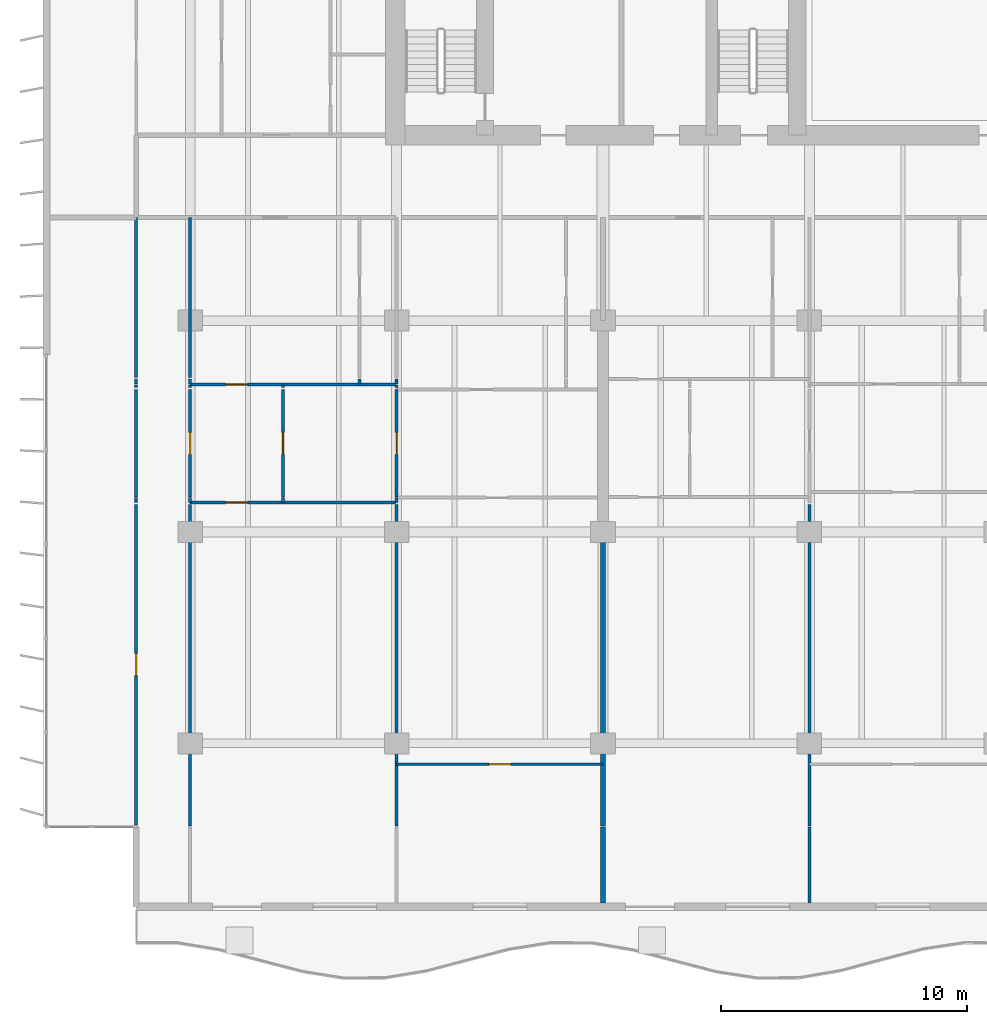
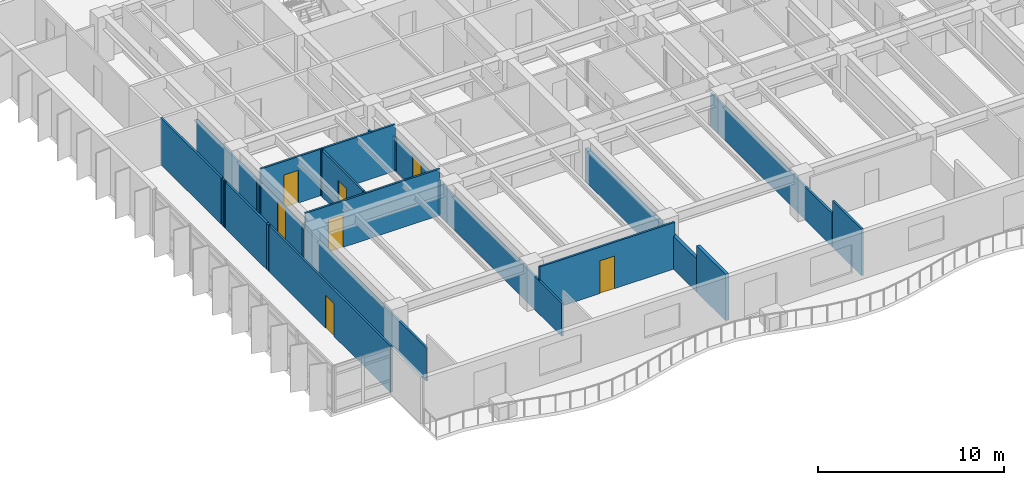
# One storey, part 6 of 19: 28 walls, 7 doors, 7 openings.
"""IFC4 building model written with IfcOpenShell, lengths in metres."""

import ifcopenshell
import ifcopenshell.guid

model = None  # the IFC model being written
_history = None  # IfcOwnerHistory: only IFC2X3 demands one
_inside = {}  # id of a spatial element -> (the spatial element, [elements in it])
_under = {}  # id of a project, library or spatial element -> (it, [spatial elements below it])
_declared = {}  # id of a project -> (the project, [libraries it declares])
_typed = {}  # id of a type object -> (the type object, [elements of that type])
_made_of = {}  # id of a material, layer set ... -> (it, [elements and type objects made of it])


def new_model(schema):
    """Start an empty IFC model of exactly this schema.

    Asked for "IFC4X3", IfcOpenShell would pick the latest addendum, in which some entities
    have other attributes; the version numbers below select the first issue.
    IFC2X3 requires an IfcOwnerHistory on every rooted entity: one is made here for all.
    """
    global model, _history
    if schema == "IFC4X3":
        model = ifcopenshell.file(schema_version=(4, 3, 0, 0))
    else:
        model = ifcopenshell.file(schema=schema)
    _inside.clear()
    _under.clear()
    _declared.clear()
    _typed.clear()
    _made_of.clear()
    _history = None
    if model.schema == "IFC2X3":
        org = make("IfcOrganization", Name="unknown")
        user = make(
            "IfcPersonAndOrganization",
            ThePerson=make("IfcPerson", FamilyName="unknown"),
            TheOrganization=org,
        )
        app = make(
            "IfcApplication",
            ApplicationDeveloper=org,
            Version="unknown",
            ApplicationFullName="unknown",
            ApplicationIdentifier="unknown",
        )
        _history = make(
            "IfcOwnerHistory",
            OwningUser=user,
            OwningApplication=app,
            ChangeAction="ADDED",
            CreationDate=0,
        )
    return model


def make(cls, **values):
    """One entity of the class cls with the attributes given. An attribute that is None is left unset."""
    return model.create_entity(
        cls, **{name: value for name, value in values.items() if value is not None}
    )


def rooted(cls, **values):
    """An entity with a GlobalId (a new one), such as an element, a storey or a relation."""
    return make(cls, GlobalId=ifcopenshell.guid.new(), OwnerHistory=_history, **values)


def si_unit(unit_type, name, prefix=None):
    """IfcSIUnit, for example si_unit("LENGTHUNIT", "METRE", prefix="MILLI")."""
    return make("IfcSIUnit", UnitType=unit_type, Prefix=prefix, Name=name)


def assignment(units):
    """IfcUnitAssignment: the units of a project."""
    return None if units is None else make("IfcUnitAssignment", Units=units)


def point(xyz):
    """IfcCartesianPoint."""
    return None if xyz is None else make("IfcCartesianPoint", Coordinates=xyz)


def direction(xyz):
    """IfcDirection."""
    return None if xyz is None else make("IfcDirection", DirectionRatios=xyz)


def frame(location, z_axis=None, x_axis=None):
    """IfcAxis2Placement3D, a coordinate frame: its origin and axes. An axis left out is left unset."""
    return make(
        "IfcAxis2Placement3D",
        Location=point(location),
        Axis=direction(z_axis),
        RefDirection=direction(x_axis),
    )


def frame_2d(location, x_axis=None):
    """IfcAxis2Placement2D, a coordinate frame in the plane: its origin and x axis."""
    return make(
        "IfcAxis2Placement2D", Location=point(location), RefDirection=direction(x_axis)
    )


def origin():
    """The frame at (0, 0, 0) with its axes left unset."""
    return frame((0.0, 0.0, 0.0))


def place(relative_to, where):
    """IfcLocalPlacement: puts the frame where relative to a parent placement (None: the world)."""
    return make(
        "IfcLocalPlacement", PlacementRelTo=relative_to, RelativePlacement=where
    )


def context(
    kind, dimensions, precision=None, world=None, true_north=None, identifier=None
):
    """IfcGeometricRepresentationContext, for example the 3D "Model" context."""
    return make(
        "IfcGeometricRepresentationContext",
        ContextIdentifier=identifier,
        ContextType=kind,
        CoordinateSpaceDimension=dimensions,
        Precision=precision,
        WorldCoordinateSystem=world,
        TrueNorth=true_north,
    )


def subcontext(parent, identifier, kind, view, scale=None):
    """IfcGeometricRepresentationSubContext, for example "Body" below "Model"."""
    return make(
        "IfcGeometricRepresentationSubContext",
        ContextIdentifier=identifier,
        ContextType=kind,
        ParentContext=parent,
        TargetScale=scale,
        TargetView=view,
    )


def project(units=None, contexts=None):
    """IfcProject with its units and contexts."""
    return rooted(
        "IfcProject",
        Name="project",
        RepresentationContexts=contexts,
        UnitsInContext=assignment(units),
    )


def spatial(cls, under=None, at=None, **own):
    """A site, building, storey or space (cls), placed at a placement, below another one or the project."""
    s = rooted(cls, ObjectPlacement=at, **own)
    if under is not None:
        _under.setdefault(under.id(), (under, []))[1].append(s)
    return s


def profile(cls, at=None, kind="AREA", **sizes):
    """A parametric profile (cls). Its sizes go by their IFC names, for example OverallWidth=200.0."""
    return make(cls, ProfileType=kind, Position=at, **sizes)


def rectangle(**sizes):
    """IfcRectangleProfileDef."""
    return profile("IfcRectangleProfileDef", **sizes)


def extrude(swept, where, along, depth):
    """IfcExtrudedAreaSolid: the profile swept, set in the frame where, extruded along a direction by depth."""
    return make(
        "IfcExtrudedAreaSolid",
        SweptArea=swept,
        Position=where,
        ExtrudedDirection=direction(along),
        Depth=depth,
    )


def shape(context_of_items, identifier, shape_type, items):
    """IfcShapeRepresentation: the items that make up one representation, for example the "Body"."""
    return make(
        "IfcShapeRepresentation",
        ContextOfItems=context_of_items,
        RepresentationIdentifier=identifier,
        RepresentationType=shape_type,
        Items=items,
    )


def material(Name=None, Category=None):
    """IfcMaterial."""
    return make("IfcMaterial", Name=Name, Category=Category)


def layer(
    of_material, thickness, ventilated=None, Name=None, Category=None, Priority=None
):
    """IfcMaterialLayer: one layer of a wall or slab, of a material (None: an air gap)."""
    return make(
        "IfcMaterialLayer",
        Material=of_material,
        LayerThickness=thickness,
        IsVentilated=ventilated,
        Name=Name,
        Category=Category,
        Priority=Priority,
    )


def layer_set(layers, Name=None):
    """IfcMaterialLayerSet."""
    return make("IfcMaterialLayerSet", MaterialLayers=layers, LayerSetName=Name)


def made_of(thing, what):
    """Note that an element or type object is made of a material, layer set ...; save() writes the relation."""
    if what is not None:
        _made_of.setdefault(what.id(), (what, []))[1].append(thing)
    return thing


def type_object(cls, material=None, **own):
    """A type object (cls), such as IfcWallType, which elements share."""
    return made_of(rooted(cls, **own), material)


def element(
    cls,
    number,
    at=None,
    inside=None,
    cuts=None,
    type_object=None,
    material=None,
    context=None,
    identifier="Body",
    shape_type=None,
    held_by="IfcProductDefinitionShape",
    body=None,
    shapes=None,
    **own,
):
    """One element of the class cls, such as IfcWall. Its Tag is "e" and its number.

    at: its placement. inside: the storey or other place that contains it. cuts: it is an
    opening in that element (IfcRelVoidsElement). A single representation is given by context,
    identifier, shape_type and body (its items); several are given by shapes. held_by: the class
    of the entity that holds the representations. save() writes the other relations.
    """
    e = rooted(cls, Tag="e%d" % number, ObjectPlacement=at, **own)
    if body is not None:
        shapes = [shape(context, identifier, shape_type, body)]
    if shapes is not None:
        e.Representation = make(held_by, Representations=shapes)
    if inside is not None:
        _inside.setdefault(inside.id(), (inside, []))[1].append(e)
    if cuts is not None:
        rooted(
            "IfcRelVoidsElement", RelatingBuildingElement=cuts, RelatedOpeningElement=e
        )
    if type_object is not None:
        _typed.setdefault(type_object.id(), (type_object, []))[1].append(e)
    return made_of(e, material)


def fill(opening, filler):
    """IfcRelFillsElement: the door or window that sits in an opening."""
    return rooted(
        "IfcRelFillsElement",
        RelatingOpeningElement=opening,
        RelatedBuildingElement=filler,
    )


def aggregate(whole, parts):
    """IfcRelAggregates: a whole, such as a stair, and the parts it consists of."""
    return rooted("IfcRelAggregates", RelatingObject=whole, RelatedObjects=parts)


def save(model, path):
    """Write the relations noted so far, then the file.

    IfcRelAggregates (storeys below a building ...), IfcRelContainedInSpatialStructure (elements
    in a storey), IfcRelDefinesByType, IfcRelAssociatesMaterial and IfcRelDeclares: one each for
    every whole, place, type object, material and project.
    """
    for whole, parts in _under.values():
        aggregate(whole, parts)
    for where, things in _inside.values():
        rooted(
            "IfcRelContainedInSpatialStructure",
            RelatedElements=things,
            RelatingStructure=where,
        )
    for kind, things in _typed.values():
        rooted("IfcRelDefinesByType", RelatedObjects=things, RelatingType=kind)
    for what, things in _made_of.values():
        rooted("IfcRelAssociatesMaterial", RelatedObjects=things, RelatingMaterial=what)
    for by, libraries in _declared.values():
        rooted("IfcRelDeclares", RelatingContext=by, RelatedDefinitions=libraries)
    model.write(path)


model = new_model("IFC4")

# Units and contexts
model_context = context("Model", 3, precision=1e-05, world=origin(), true_north=direction((0.0, 1.0)))
body_context = subcontext(model_context, "Body", "Model", "MODEL_VIEW")
ifc_project = project(units=[si_unit("LENGTHUNIT", "METRE"), si_unit("AREAUNIT", "SQUARE_METRE"), si_unit("VOLUMEUNIT", "CUBIC_METRE"), si_unit("PLANEANGLEUNIT", "RADIAN"), si_unit("MASSUNIT", "GRAM", prefix="KILO")], contexts=[model_context])

# Site, building, storey
site_placement = place(None, origin())
site = spatial("IfcSite", under=ifc_project, at=site_placement, CompositionType="ELEMENT")
building_placement = place(site_placement, origin())
building = spatial("IfcBuilding", under=site, at=building_placement, Name="Caelmar Bay Residences", CompositionType="ELEMENT")
storey_placement = place(building_placement, frame((0.0, 0.0, 112.5)))
storey = spatial("IfcBuildingStorey", under=building, at=storey_placement, Name="L30", CompositionType="ELEMENT", Elevation=112.5)

# Wall, opening, door
ifc_material_1 = material(Name="Acoustic metal-stud gypsum partition 120 mm")
ifc_layer_1 = layer(ifc_material_1, 0.1201171875)
ifc_layer_set_1 = layer_set([ifc_layer_1], Name="Acoustic metal-stud gypsum partition 120 mm")
wall_type_1 = type_object("IfcWallType", Name="W-PRT-120", PredefinedType="PARTITIONING", material=ifc_layer_set_1)
wall_1_placement = place(storey_placement, frame((7.699951171875, 8.885009765625, 0.0), z_axis=(0.0, 0.0, 1.0), x_axis=(0.0, 1.0, 0.0)))
wall_1 = element("IfcWall", 1, at=wall_1_placement, inside=storey, type_object=wall_type_1, Name="L30 Partition Wall V001", PredefinedType="PARTITIONING", context=body_context, shape_type="SweptSolid", body=[
    extrude(rectangle(XDim=13.044921875, YDim=0.1201171875, at=frame_2d((6.5224609375, 0.0))), origin(), (0.0, 0.0, 1.0), 3.050048828125),
])
opening_1_placement = place(wall_1_placement, frame((6.072509765625, 0.0, 0.0)))
opening_1 = element("IfcOpeningElement", 2, at=opening_1_placement, cuts=wall_1, Name="Opening D-L30-162", PredefinedType="OPENING", context=body_context, shape_type="SweptSolid", body=[
    extrude(rectangle(XDim=0.89990234375, YDim=2.14990234375, at=frame_2d((0.449951171875, 1.074951171875))), frame((0.0, 0.070068359375, 0.0), z_axis=(0.0, -1.0, 0.0), x_axis=(1.0, 0.0, 0.0)), (0.0, 0.0, 1.0), 0.14013671875),
])
ifc_material_2 = material(Name="Solid walnut timber interior door leaf and frame", Category="wood")
ifc_layer_2 = layer(ifc_material_2, 0.050048828125)
ifc_layer_set_2 = layer_set([ifc_layer_2], Name="Solid walnut timber interior door leaf and frame")
door_type = type_object("IfcDoorType", Name="D-ROOM-900", OperationType="NOTDEFINED", PredefinedType="DOOR", material=ifc_layer_set_2)
door_1_placement = place(opening_1_placement, origin())
door_1 = element("IfcDoor", 3, at=door_1_placement, inside=storey, type_object=door_type, Name="L30 Residence 01 Penthouse West Salon Door", OperationType="SINGLE_SWING_RIGHT", OverallHeight=2.14990234375, OverallWidth=0.89990234375, PredefinedType="DOOR", context=body_context, shape_type="SweptSolid", body=[
    extrude(rectangle(XDim=0.89990234375, YDim=2.14990234375, at=frame_2d((0.449951171875, 1.074951171875))), frame((0.0, 0.02490234375, 0.0), z_axis=(0.0, -1.0, 0.0), x_axis=(1.0, 0.0, 0.0)), (0.0, 0.0, 1.0), 0.050048828125),
])
fill(opening_1, door_1)

# Walls
wall_2_placement = place(storey_placement, frame((7.699951171875, 22.0, 0.0), z_axis=(0.0, 0.0, 1.0), x_axis=(0.0, 1.0, 0.0)))
element("IfcWall", 4, at=wall_2_placement, inside=storey, type_object=wall_type_1, Name="L30 Partition Wall V002", PredefinedType="PARTITIONING", context=body_context, shape_type="SweptSolid", body=[
    extrude(rectangle(XDim=0.199951171875, YDim=0.1201171875, at=frame_2d((0.10009765625, 0.0))), origin(), (0.0, 0.0, 1.0), 3.050048828125),
])
wall_3_placement = place(storey_placement, frame((7.699951171875, 22.219970703125, 0.0), z_axis=(0.0, 0.0, 1.0), x_axis=(0.0, 1.0, 0.0)))
element("IfcWall", 5, at=wall_3_placement, inside=storey, type_object=wall_type_1, Name="L30 Partition Wall V003", PredefinedType="PARTITIONING", context=body_context, shape_type="SweptSolid", body=[
    extrude(rectangle(XDim=4.380126953125, YDim=0.1201171875, at=frame_2d((2.18994140625, 0.0))), origin(), (0.0, 0.0, 1.0), 3.050048828125),
])
wall_4_placement = place(storey_placement, frame((7.699951171875, 26.679931640625, 0.0), z_axis=(0.0, 0.0, 1.0), x_axis=(0.0, 1.0, 0.0)))
element("IfcWall", 6, at=wall_4_placement, inside=storey, type_object=wall_type_1, Name="L30 Partition Wall V004", PredefinedType="PARTITIONING", context=body_context, shape_type="SweptSolid", body=[
    extrude(rectangle(XDim=0.10009765625, YDim=0.1201171875, at=frame_2d((0.050048828125, 0.0))), origin(), (0.0, 0.0, 1.0), 3.050048828125),
])
wall_5_placement = place(storey_placement, frame((7.699951171875, 26.820068359375, 0.0), z_axis=(0.0, 0.0, 1.0), x_axis=(0.0, 1.0, 0.0)))
element("IfcWall", 7, at=wall_5_placement, inside=storey, type_object=wall_type_1, Name="L30 Partition Wall V005", PredefinedType="PARTITIONING", context=body_context, shape_type="SweptSolid", body=[
    extrude(rectangle(XDim=0.199951171875, YDim=0.1201171875, at=frame_2d((0.10009765625, 0.0))), origin(), (0.0, 0.0, 1.0), 3.050048828125),
])
wall_6_placement = place(storey_placement, frame((7.699951171875, 27.080078125, 0.0), z_axis=(0.0, 0.0, 1.0), x_axis=(0.0, 1.0, 0.0)))
element("IfcWall", 8, at=wall_6_placement, inside=storey, type_object=wall_type_1, Name="L30 Partition Wall V006", PredefinedType="PARTITIONING", context=body_context, shape_type="SweptSolid", body=[
    extrude(rectangle(XDim=6.52001953125, YDim=0.1201171875, at=frame_2d((3.260009765625, 0.0))), origin(), (0.0, 0.0, 1.0), 3.050048828125),
])
wall_7_placement = place(storey_placement, frame((9.89990234375, 8.840087890625, 0.0), z_axis=(0.0, 0.0, 1.0), x_axis=(0.0, 1.0, 0.0)))
element("IfcWall", 9, at=wall_7_placement, inside=storey, type_object=wall_type_1, Name="L30 Partition Wall V011", PredefinedType="PARTITIONING", context=body_context, shape_type="SweptSolid", body=[
    extrude(rectangle(XDim=13.08984375, YDim=0.1201171875, at=frame_2d((6.544921875, 0.0))), origin(), (0.0, 0.0, 1.0), 2.174072265625),
])
wall_8_placement = place(storey_placement, frame((9.89990234375, 22.0, 0.0), z_axis=(0.0, 0.0, 1.0), x_axis=(0.0, 1.0, 0.0)))
element("IfcWall", 10, at=wall_8_placement, inside=storey, type_object=wall_type_1, Name="L30 Partition Wall V012", PredefinedType="PARTITIONING", context=body_context, shape_type="SweptSolid", body=[
    extrude(rectangle(XDim=0.199951171875, YDim=0.1201171875, at=frame_2d((0.10009765625, 0.0))), origin(), (0.0, 0.0, 1.0), 2.174072265625),
])

# Wall, opening, door
wall_9_placement = place(storey_placement, frame((9.89990234375, 22.219970703125, 0.0), z_axis=(0.0, 0.0, 1.0), x_axis=(0.0, 1.0, 0.0)))
wall_9 = element("IfcWall", 11, at=wall_9_placement, inside=storey, type_object=wall_type_1, Name="L30 Partition Wall V013", PredefinedType="PARTITIONING", context=body_context, shape_type="SweptSolid", body=[
    extrude(rectangle(XDim=4.380126953125, YDim=0.1201171875, at=frame_2d((2.18994140625, 0.0))), origin(), (0.0, 0.0, 1.0), 2.174072265625),
])
opening_2_placement = place(wall_9_placement, frame((1.739990234375, 0.0, 0.0)))
opening_2 = element("IfcOpeningElement", 12, at=opening_2_placement, cuts=wall_9, Name="Opening D-L30-129", PredefinedType="OPENING", context=body_context, shape_type="SweptSolid", body=[
    extrude(rectangle(XDim=0.89990234375, YDim=2.1240234375, at=frame_2d((0.449951171875, 1.06201171875))), frame((0.0, 0.070068359375, 0.0), z_axis=(0.0, -1.0, 0.0), x_axis=(1.0, 0.0, 0.0)), (0.0, 0.0, 1.0), 0.14013671875),
])
door_2_placement = place(opening_2_placement, origin())
door_2 = element("IfcDoor", 13, at=door_2_placement, inside=storey, type_object=door_type, Name="L30 Residence 01 West Apartment Hall Door", OperationType="SINGLE_SWING_LEFT", OverallHeight=2.1240234375, OverallWidth=0.89990234375, PredefinedType="DOOR", context=body_context, shape_type="SweptSolid", body=[
    extrude(rectangle(XDim=0.89990234375, YDim=2.1240234375, at=frame_2d((0.449951171875, 1.06201171875))), frame((0.0, 0.02490234375, 0.0), z_axis=(0.0, -1.0, 0.0), x_axis=(1.0, 0.0, 0.0)), (0.0, 0.0, 1.0), 0.050048828125),
])
fill(opening_2, door_2)

# Walls
wall_10_placement = place(storey_placement, frame((9.89990234375, 26.679931640625, 0.0), z_axis=(0.0, 0.0, 1.0), x_axis=(0.0, 1.0, 0.0)))
element("IfcWall", 14, at=wall_10_placement, inside=storey, type_object=wall_type_1, Name="L30 Partition Wall V014", PredefinedType="PARTITIONING", context=body_context, shape_type="SweptSolid", body=[
    extrude(rectangle(XDim=0.10009765625, YDim=0.1201171875, at=frame_2d((0.050048828125, 0.0))), origin(), (0.0, 0.0, 1.0), 2.174072265625),
])
wall_11_placement = place(storey_placement, frame((9.89990234375, 26.820068359375, 0.0), z_axis=(0.0, 0.0, 1.0), x_axis=(0.0, 1.0, 0.0)))
element("IfcWall", 15, at=wall_11_placement, inside=storey, type_object=wall_type_1, Name="L30 Partition Wall V015", PredefinedType="PARTITIONING", context=body_context, shape_type="SweptSolid", body=[
    extrude(rectangle(XDim=0.199951171875, YDim=0.1201171875, at=frame_2d((0.10009765625, 0.0))), origin(), (0.0, 0.0, 1.0), 2.174072265625),
])
wall_12_placement = place(storey_placement, frame((9.89990234375, 27.080078125, 0.0), z_axis=(0.0, 0.0, 1.0), x_axis=(0.0, 1.0, 0.0)))
element("IfcWall", 16, at=wall_12_placement, inside=storey, type_object=wall_type_1, Name="L30 Partition Wall V016", PredefinedType="PARTITIONING", context=body_context, shape_type="SweptSolid", body=[
    extrude(rectangle(XDim=6.52001953125, YDim=0.1201171875, at=frame_2d((3.260009765625, 0.0))), origin(), (0.0, 0.0, 1.0), 2.174072265625),
])
wall_13_placement = place(storey_placement, frame((13.679931640625, 22.0, 0.0), z_axis=(0.0, 0.0, 1.0), x_axis=(0.0, 1.0, 0.0)))
element("IfcWall", 17, at=wall_13_placement, inside=storey, type_object=wall_type_1, Name="L30 Partition Wall V018", PredefinedType="PARTITIONING", context=body_context, shape_type="SweptSolid", body=[
    extrude(rectangle(XDim=0.199951171875, YDim=0.1201171875, at=frame_2d((0.10009765625, 0.0))), origin(), (0.0, 0.0, 1.0), 3.050048828125),
])

# Wall, opening, door
wall_14_placement = place(storey_placement, frame((13.679931640625, 22.219970703125, 0.0), z_axis=(0.0, 0.0, 1.0), x_axis=(0.0, 1.0, 0.0)))
wall_14 = element("IfcWall", 18, at=wall_14_placement, inside=storey, type_object=wall_type_1, Name="L30 Partition Wall V019", PredefinedType="PARTITIONING", context=body_context, shape_type="SweptSolid", body=[
    extrude(rectangle(XDim=4.380126953125, YDim=0.1201171875, at=frame_2d((2.18994140625, 0.0))), origin(), (0.0, 0.0, 1.0), 3.050048828125),
])
opening_3_placement = place(wall_14_placement, frame((1.739990234375, 0.0, 0.0)))
opening_3 = element("IfcOpeningElement", 19, at=opening_3_placement, cuts=wall_14, Name="Opening D-L30-122", PredefinedType="OPENING", context=body_context, shape_type="SweptSolid", body=[
    extrude(rectangle(XDim=0.89990234375, YDim=2.14990234375, at=frame_2d((0.449951171875, 1.074951171875))), frame((0.0, 0.070068359375, 0.0), z_axis=(0.0, -1.0, 0.0), x_axis=(1.0, 0.0, 0.0)), (0.0, 0.0, 1.0), 0.14013671875),
])
door_3_placement = place(opening_3_placement, origin())
door_3 = element("IfcDoor", 20, at=door_3_placement, inside=storey, type_object=door_type, Name="L30 Residence 01 Kitchen Door", OperationType="SINGLE_SWING_RIGHT", OverallHeight=2.14990234375, OverallWidth=0.89990234375, PredefinedType="DOOR", context=body_context, shape_type="SweptSolid", body=[
    extrude(rectangle(XDim=0.89990234375, YDim=2.14990234375, at=frame_2d((0.449951171875, 1.074951171875))), frame((0.0, 0.02490234375, 0.0), z_axis=(0.0, -1.0, 0.0), x_axis=(1.0, 0.0, 0.0)), (0.0, 0.0, 1.0), 0.050048828125),
])
fill(opening_3, door_3)

# Walls
wall_15_placement = place(storey_placement, frame((13.679931640625, 26.679931640625, 0.0), z_axis=(0.0, 0.0, 1.0), x_axis=(0.0, 1.0, 0.0)))
element("IfcWall", 21, at=wall_15_placement, inside=storey, type_object=wall_type_1, Name="L30 Partition Wall V020", PredefinedType="PARTITIONING", context=body_context, shape_type="SweptSolid", body=[
    extrude(rectangle(XDim=0.10009765625, YDim=0.1201171875, at=frame_2d((0.050048828125, 0.0))), origin(), (0.0, 0.0, 1.0), 3.050048828125),
])
wall_16_placement = place(storey_placement, frame((16.784912109375, 26.820068359375, 0.0), z_axis=(0.0, 0.0, 1.0), x_axis=(0.0, 1.0, 0.0)))
element("IfcWall", 22, at=wall_16_placement, inside=storey, type_object=wall_type_1, Name="L30 Partition Wall V022", PredefinedType="PARTITIONING", context=body_context, shape_type="SweptSolid", body=[
    extrude(rectangle(XDim=0.199951171875, YDim=0.1201171875, at=frame_2d((0.10009765625, 0.0))), origin(), (0.0, 0.0, 1.0), 3.050048828125),
])
wall_17_placement = place(storey_placement, frame((18.300048828125, 8.840087890625, 0.0), z_axis=(0.0, 0.0, 1.0), x_axis=(0.0, 1.0, 0.0)))
element("IfcWall", 23, at=wall_17_placement, inside=storey, type_object=wall_type_1, Name="L30 Partition Wall V025", PredefinedType="PARTITIONING", context=body_context, shape_type="SweptSolid", body=[
    extrude(rectangle(XDim=13.08984375, YDim=0.1201171875, at=frame_2d((6.544921875, 0.0))), origin(), (0.0, 0.0, 1.0), 2.174072265625),
])
wall_18_placement = place(storey_placement, frame((18.300048828125, 22.0, 0.0), z_axis=(0.0, 0.0, 1.0), x_axis=(0.0, 1.0, 0.0)))
element("IfcWall", 24, at=wall_18_placement, inside=storey, type_object=wall_type_1, Name="L30 Partition Wall V026", PredefinedType="PARTITIONING", context=body_context, shape_type="SweptSolid", body=[
    extrude(rectangle(XDim=0.199951171875, YDim=0.1201171875, at=frame_2d((0.10009765625, 0.0))), origin(), (0.0, 0.0, 1.0), 2.174072265625),
])

# Wall, opening, door
wall_19_placement = place(storey_placement, frame((18.300048828125, 22.219970703125, 0.0), z_axis=(0.0, 0.0, 1.0), x_axis=(0.0, 1.0, 0.0)))
wall_19 = element("IfcWall", 25, at=wall_19_placement, inside=storey, type_object=wall_type_1, Name="L30 Partition Wall V027", PredefinedType="PARTITIONING", context=body_context, shape_type="SweptSolid", body=[
    extrude(rectangle(XDim=4.380126953125, YDim=0.1201171875, at=frame_2d((2.18994140625, 0.0))), origin(), (0.0, 0.0, 1.0), 2.174072265625),
])
opening_4_placement = place(wall_19_placement, frame((1.739990234375, 0.0, 0.0)))
opening_4 = element("IfcOpeningElement", 26, at=opening_4_placement, cuts=wall_19, Name="Opening D-L30-124", PredefinedType="OPENING", context=body_context, shape_type="SweptSolid", body=[
    extrude(rectangle(XDim=0.89990234375, YDim=2.1240234375, at=frame_2d((0.449951171875, 1.06201171875))), frame((0.0, 0.070068359375, 0.0), z_axis=(0.0, -1.0, 0.0), x_axis=(1.0, 0.0, 0.0)), (0.0, 0.0, 1.0), 0.14013671875),
])
door_4_placement = place(opening_4_placement, origin())
door_4 = element("IfcDoor", 27, at=door_4_placement, inside=storey, type_object=door_type, Name="L30 Residence 01 Conference Study 1 Door", OperationType="SINGLE_SWING_RIGHT", OverallHeight=2.1240234375, OverallWidth=0.89990234375, PredefinedType="DOOR", context=body_context, shape_type="SweptSolid", body=[
    extrude(rectangle(XDim=0.89990234375, YDim=2.1240234375, at=frame_2d((0.449951171875, 1.06201171875))), frame((0.0, 0.02490234375, 0.0), z_axis=(0.0, -1.0, 0.0), x_axis=(1.0, 0.0, 0.0)), (0.0, 0.0, 1.0), 0.050048828125),
])
fill(opening_4, door_4)

# Walls
wall_20_placement = place(storey_placement, frame((18.300048828125, 26.679931640625, 0.0), z_axis=(0.0, 0.0, 1.0), x_axis=(0.0, 1.0, 0.0)))
element("IfcWall", 28, at=wall_20_placement, inside=storey, type_object=wall_type_1, Name="L30 Partition Wall V028", PredefinedType="PARTITIONING", context=body_context, shape_type="SweptSolid", body=[
    extrude(rectangle(XDim=0.10009765625, YDim=0.1201171875, at=frame_2d((0.050048828125, 0.0))), origin(), (0.0, 0.0, 1.0), 2.174072265625),
])
wall_21_placement = place(storey_placement, frame((18.300048828125, 26.820068359375, 0.0), z_axis=(0.0, 0.0, 1.0), x_axis=(0.0, 1.0, 0.0)))
element("IfcWall", 29, at=wall_21_placement, inside=storey, type_object=wall_type_1, Name="L30 Partition Wall V029", PredefinedType="PARTITIONING", context=body_context, shape_type="SweptSolid", body=[
    extrude(rectangle(XDim=0.199951171875, YDim=0.1201171875, at=frame_2d((0.10009765625, 0.0))), origin(), (0.0, 0.0, 1.0), 2.174072265625),
])
wall_22_placement = place(storey_placement, frame((35.10009765625, 5.695068359375, 0.0), z_axis=(0.0, 0.0, 1.0), x_axis=(0.0, 1.0, 0.0)))
element("IfcWall", 30, at=wall_22_placement, inside=storey, type_object=wall_type_1, Name="L30 Partition Wall V045", PredefinedType="PARTITIONING", context=body_context, shape_type="SweptSolid", body=[
    extrude(rectangle(XDim=3.10498046875, YDim=0.1201171875, at=frame_2d((1.552490234375, 0.0))), origin(), (0.0, 0.0, 1.0), 3.050048828125),
])
wall_23_placement = place(storey_placement, frame((35.10009765625, 8.840087890625, 0.0), z_axis=(0.0, 0.0, 1.0), x_axis=(0.0, 1.0, 0.0)))
element("IfcWall", 31, at=wall_23_placement, inside=storey, type_object=wall_type_1, Name="L30 Partition Wall V046", PredefinedType="PARTITIONING", context=body_context, shape_type="SweptSolid", body=[
    extrude(rectangle(XDim=13.08984375, YDim=0.1201171875, at=frame_2d((6.544921875, 0.0))), origin(), (0.0, 0.0, 1.0), 2.174072265625),
])

# Wall, opening, door
wall_24_placement = place(storey_placement, frame((18.300048828125, 11.35009765625, 0.0), z_axis=(0.0, 0.0, 1.0), x_axis=(1.0, 0.0, 0.0)))
wall_24 = element("IfcWall", 32, at=wall_24_placement, inside=storey, type_object=wall_type_1, Name="L30 Partition Wall H120", PredefinedType="PARTITIONING", context=body_context, shape_type="SweptSolid", body=[
    extrude(rectangle(XDim=8.39990234375, YDim=0.1201171875, at=frame_2d((4.199951171875, 0.0))), origin(), (0.0, 0.0, 1.0), 3.050048828125),
])
opening_5_placement = place(wall_24_placement, frame((3.75, 0.0, 0.0)))
opening_5 = element("IfcOpeningElement", 33, at=opening_5_placement, cuts=wall_24, Name="Opening D-L30-128", PredefinedType="OPENING", context=body_context, shape_type="SweptSolid", body=[
    extrude(rectangle(XDim=0.89990234375, YDim=2.14990234375, at=frame_2d((0.449951171875, 1.074951171875))), frame((0.0, 0.070068359375, 0.0), z_axis=(0.0, -1.0, 0.0), x_axis=(1.0, 0.0, 0.0)), (0.0, 0.0, 1.0), 0.14013671875),
])
door_5_placement = place(opening_5_placement, origin())
door_5 = element("IfcDoor", 34, at=door_5_placement, inside=storey, type_object=door_type, Name="L30 Residence 01 Primary Bedroom 1 Door", OperationType="SINGLE_SWING_RIGHT", OverallHeight=2.14990234375, OverallWidth=0.89990234375, PredefinedType="DOOR", context=body_context, shape_type="SweptSolid", body=[
    extrude(rectangle(XDim=0.89990234375, YDim=2.14990234375, at=frame_2d((0.449951171875, 1.074951171875))), frame((0.0, 0.02490234375, 0.0), z_axis=(0.0, -1.0, 0.0), x_axis=(1.0, 0.0, 0.0)), (0.0, 0.0, 1.0), 0.050048828125),
])
fill(opening_5, door_5)

wall_25_placement = place(storey_placement, frame((9.89990234375, 22.0, 0.0), z_axis=(0.0, 0.0, 1.0), x_axis=(1.0, 0.0, 0.0)))
wall_25 = element("IfcWall", 35, at=wall_25_placement, inside=storey, type_object=wall_type_1, Name="L30 Partition Wall H128", PredefinedType="PARTITIONING", context=body_context, shape_type="SweptSolid", body=[
    extrude(rectangle(XDim=8.35009765625, YDim=0.1201171875, at=frame_2d((4.175048828125, 0.0))), origin(), (0.0, 0.0, 1.0), 3.050048828125),
])
opening_6_placement = place(wall_25_placement, frame((1.43994140625, 0.0, 0.0)))
opening_6 = element("IfcOpeningElement", 36, at=opening_6_placement, cuts=wall_25, Name="Opening D-L30-123", PredefinedType="OPENING", context=body_context, shape_type="SweptSolid", body=[
    extrude(rectangle(XDim=0.89990234375, YDim=2.14990234375, at=frame_2d((0.449951171875, 1.074951171875))), frame((0.0, 0.070068359375, 0.0), z_axis=(0.0, -1.0, 0.0), x_axis=(1.0, 0.0, 0.0)), (0.0, 0.0, 1.0), 0.14013671875),
])
door_6_placement = place(opening_6_placement, origin())
door_6 = element("IfcDoor", 37, at=door_6_placement, inside=storey, type_object=door_type, Name="L30 Residence 01 Penthouse Living Salon Door", OperationType="SINGLE_SWING_LEFT", OverallHeight=2.14990234375, OverallWidth=0.89990234375, PredefinedType="DOOR", context=body_context, shape_type="SweptSolid", body=[
    extrude(rectangle(XDim=0.89990234375, YDim=2.14990234375, at=frame_2d((0.449951171875, 1.074951171875))), frame((0.0, 0.02490234375, 0.0), z_axis=(0.0, -1.0, 0.0), x_axis=(1.0, 0.0, 0.0)), (0.0, 0.0, 1.0), 0.050048828125),
])
fill(opening_6, door_6)

wall_26_placement = place(storey_placement, frame((9.89990234375, 26.800048828125, 0.0), z_axis=(0.0, 0.0, 1.0), x_axis=(1.0, 0.0, 0.0)))
wall_26 = element("IfcWall", 38, at=wall_26_placement, inside=storey, type_object=wall_type_1, Name="L30 Partition Wall H135", PredefinedType="PARTITIONING", context=body_context, shape_type="SweptSolid", body=[
    extrude(rectangle(XDim=8.35009765625, YDim=0.1201171875, at=frame_2d((4.175048828125, 0.0))), origin(), (0.0, 0.0, 1.0), 3.050048828125),
])
opening_7_placement = place(wall_26_placement, frame((1.43994140625, 0.0, 0.0)))
opening_7 = element("IfcOpeningElement", 39, at=opening_7_placement, cuts=wall_26, Name="Opening D-L30-121", PredefinedType="OPENING", context=body_context, shape_type="SweptSolid", body=[
    extrude(rectangle(XDim=0.89990234375, YDim=2.14990234375, at=frame_2d((0.449951171875, 1.074951171875))), frame((0.0, 0.070068359375, 0.0), z_axis=(0.0, -1.0, 0.0), x_axis=(1.0, 0.0, 0.0)), (0.0, 0.0, 1.0), 0.14013671875),
])
door_7_placement = place(opening_7_placement, origin())
door_7 = element("IfcDoor", 40, at=door_7_placement, inside=storey, type_object=door_type, Name="L30 Residence 01 Dining Room Door", OperationType="SINGLE_SWING_LEFT", OverallHeight=2.14990234375, OverallWidth=0.89990234375, PredefinedType="DOOR", context=body_context, shape_type="SweptSolid", body=[
    extrude(rectangle(XDim=0.89990234375, YDim=2.14990234375, at=frame_2d((0.449951171875, 1.074951171875))), frame((0.0, 0.02490234375, 0.0), z_axis=(0.0, -1.0, 0.0), x_axis=(1.0, 0.0, 0.0)), (0.0, 0.0, 1.0), 0.050048828125),
])
fill(opening_7, door_7)

# Walls
ifc_material_3 = material(Name="Acoustic twin-stud fire-rated inter-tenancy partition 200 mm")
ifc_layer_3 = layer(ifc_material_3, 0.199951171875)
ifc_layer_set_3 = layer_set([ifc_layer_3], Name="Acoustic twin-stud fire-rated inter-tenancy partition 200 mm")
wall_type_2 = type_object("IfcWallType", Name="W-PTY-200", PredefinedType="PARTITIONING", material=ifc_layer_set_3)
wall_27_placement = place(storey_placement, frame((26.699951171875, 5.695068359375, 0.0), z_axis=(0.0, 0.0, 1.0), x_axis=(0.0, 1.0, 0.0)))
element("IfcWall", 41, at=wall_27_placement, inside=storey, type_object=wall_type_2, Name="L30 Partition Wall V036", PredefinedType="PARTITIONING", context=body_context, shape_type="SweptSolid", body=[
    extrude(rectangle(XDim=3.10498046875, YDim=0.199951171875, at=frame_2d((1.552490234375, 0.0))), origin(), (0.0, 0.0, 1.0), 3.050048828125),
])
wall_28_placement = place(storey_placement, frame((26.699951171875, 8.840087890625, 0.0), z_axis=(0.0, 0.0, 1.0), x_axis=(0.0, 1.0, 0.0)))
element("IfcWall", 42, at=wall_28_placement, inside=storey, type_object=wall_type_2, Name="L30 Partition Wall V037", PredefinedType="PARTITIONING", context=body_context, shape_type="SweptSolid", body=[
    extrude(rectangle(XDim=11.954833984375, YDim=0.199951171875, at=frame_2d((5.9775390625, 0.0))), origin(), (0.0, 0.0, 1.0), 2.174072265625),
])

save(model, "model.ifc")
